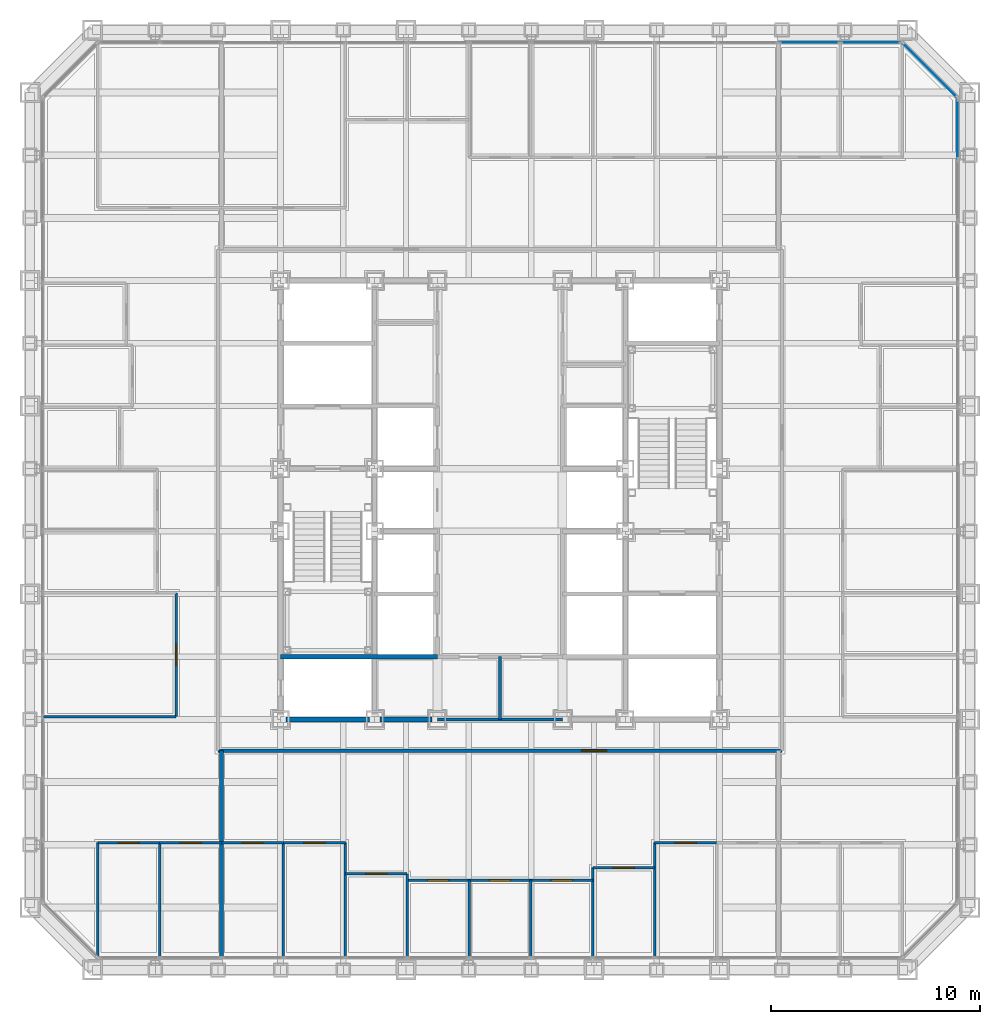
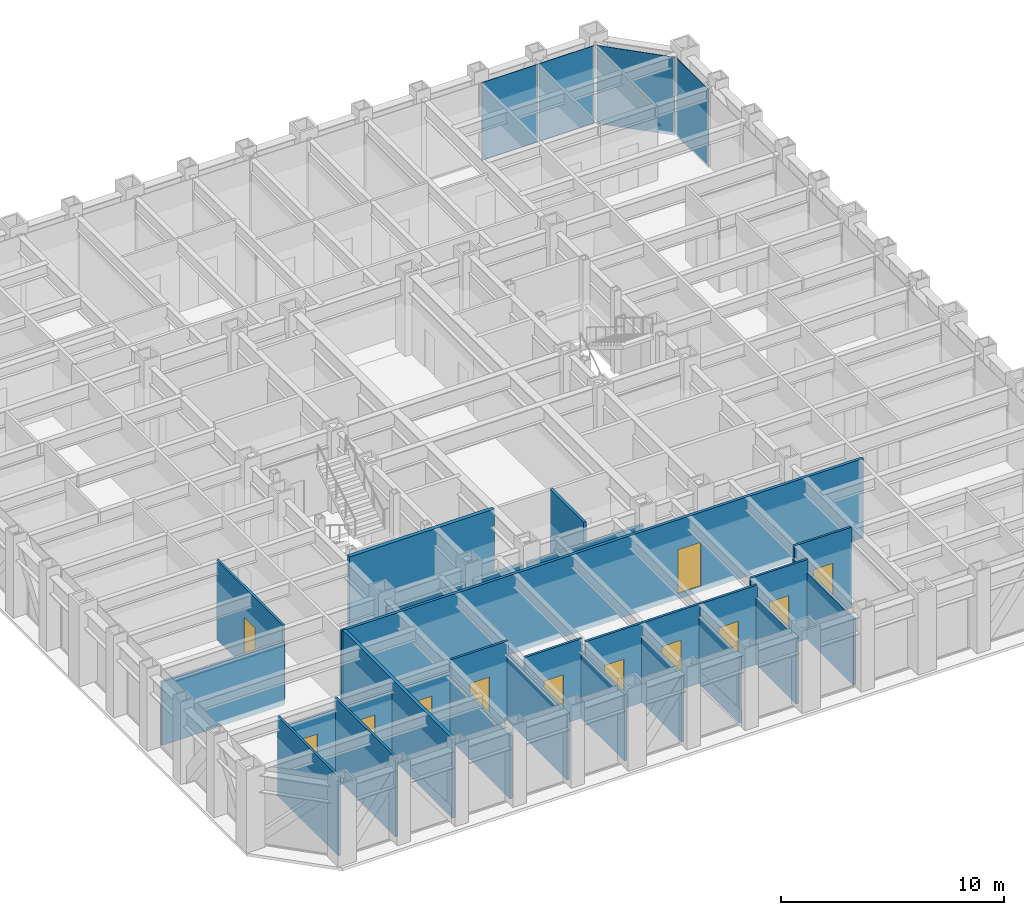
# One storey, part 8 of 16: 28 walls, 12 doors, 4 plates, 12 openings, 3 elements without a shape of their own.
"""IFC4 building model written with IfcOpenShell, lengths in metres."""

import ifcopenshell
import ifcopenshell.guid

model = None  # the IFC model being written
_history = None  # IfcOwnerHistory: only IFC2X3 demands one
_inside = {}  # id of a spatial element -> (the spatial element, [elements in it])
_under = {}  # id of a project, library or spatial element -> (it, [spatial elements below it])
_declared = {}  # id of a project -> (the project, [libraries it declares])
_typed = {}  # id of a type object -> (the type object, [elements of that type])
_made_of = {}  # id of a material, layer set ... -> (it, [elements and type objects made of it])


def new_model(schema):
    """Start an empty IFC model of exactly this schema.

    Asked for "IFC4X3", IfcOpenShell would pick the latest addendum, in which some entities
    have other attributes; the version numbers below select the first issue.
    IFC2X3 requires an IfcOwnerHistory on every rooted entity: one is made here for all.
    """
    global model, _history
    if schema == "IFC4X3":
        model = ifcopenshell.file(schema_version=(4, 3, 0, 0))
    else:
        model = ifcopenshell.file(schema=schema)
    _inside.clear()
    _under.clear()
    _declared.clear()
    _typed.clear()
    _made_of.clear()
    _history = None
    if model.schema == "IFC2X3":
        org = make("IfcOrganization", Name="unknown")
        user = make(
            "IfcPersonAndOrganization",
            ThePerson=make("IfcPerson", FamilyName="unknown"),
            TheOrganization=org,
        )
        app = make(
            "IfcApplication",
            ApplicationDeveloper=org,
            Version="unknown",
            ApplicationFullName="unknown",
            ApplicationIdentifier="unknown",
        )
        _history = make(
            "IfcOwnerHistory",
            OwningUser=user,
            OwningApplication=app,
            ChangeAction="ADDED",
            CreationDate=0,
        )
    return model


def make(cls, **values):
    """One entity of the class cls with the attributes given. An attribute that is None is left unset."""
    return model.create_entity(
        cls, **{name: value for name, value in values.items() if value is not None}
    )


def rooted(cls, **values):
    """An entity with a GlobalId (a new one), such as an element, a storey or a relation."""
    return make(cls, GlobalId=ifcopenshell.guid.new(), OwnerHistory=_history, **values)


def si_unit(unit_type, name, prefix=None):
    """IfcSIUnit, for example si_unit("LENGTHUNIT", "METRE", prefix="MILLI")."""
    return make("IfcSIUnit", UnitType=unit_type, Prefix=prefix, Name=name)


def assignment(units):
    """IfcUnitAssignment: the units of a project."""
    return None if units is None else make("IfcUnitAssignment", Units=units)


def point(xyz):
    """IfcCartesianPoint."""
    return None if xyz is None else make("IfcCartesianPoint", Coordinates=xyz)


def direction(xyz):
    """IfcDirection."""
    return None if xyz is None else make("IfcDirection", DirectionRatios=xyz)


def frame(location, z_axis=None, x_axis=None):
    """IfcAxis2Placement3D, a coordinate frame: its origin and axes. An axis left out is left unset."""
    return make(
        "IfcAxis2Placement3D",
        Location=point(location),
        Axis=direction(z_axis),
        RefDirection=direction(x_axis),
    )


def frame_2d(location, x_axis=None):
    """IfcAxis2Placement2D, a coordinate frame in the plane: its origin and x axis."""
    return make(
        "IfcAxis2Placement2D", Location=point(location), RefDirection=direction(x_axis)
    )


def origin():
    """The frame at (0, 0, 0) with its axes left unset."""
    return frame((0.0, 0.0, 0.0))


def origin_2d():
    """The frame at (0, 0) in the plane with its x axis left unset."""
    return frame_2d((0.0, 0.0))


def place(relative_to, where):
    """IfcLocalPlacement: puts the frame where relative to a parent placement (None: the world)."""
    return make(
        "IfcLocalPlacement", PlacementRelTo=relative_to, RelativePlacement=where
    )


def context(
    kind, dimensions, precision=None, world=None, true_north=None, identifier=None
):
    """IfcGeometricRepresentationContext, for example the 3D "Model" context."""
    return make(
        "IfcGeometricRepresentationContext",
        ContextIdentifier=identifier,
        ContextType=kind,
        CoordinateSpaceDimension=dimensions,
        Precision=precision,
        WorldCoordinateSystem=world,
        TrueNorth=true_north,
    )


def subcontext(parent, identifier, kind, view, scale=None):
    """IfcGeometricRepresentationSubContext, for example "Body" below "Model"."""
    return make(
        "IfcGeometricRepresentationSubContext",
        ContextIdentifier=identifier,
        ContextType=kind,
        ParentContext=parent,
        TargetScale=scale,
        TargetView=view,
    )


def project(units=None, contexts=None):
    """IfcProject with its units and contexts."""
    return rooted(
        "IfcProject",
        Name="project",
        RepresentationContexts=contexts,
        UnitsInContext=assignment(units),
    )


def spatial(cls, under=None, at=None, **own):
    """A site, building, storey or space (cls), placed at a placement, below another one or the project."""
    s = rooted(cls, ObjectPlacement=at, **own)
    if under is not None:
        _under.setdefault(under.id(), (under, []))[1].append(s)
    return s


def profile(cls, at=None, kind="AREA", **sizes):
    """A parametric profile (cls). Its sizes go by their IFC names, for example OverallWidth=200.0."""
    return make(cls, ProfileType=kind, Position=at, **sizes)


def rectangle(**sizes):
    """IfcRectangleProfileDef."""
    return profile("IfcRectangleProfileDef", **sizes)


def extrude(swept, where, along, depth):
    """IfcExtrudedAreaSolid: the profile swept, set in the frame where, extruded along a direction by depth."""
    return make(
        "IfcExtrudedAreaSolid",
        SweptArea=swept,
        Position=where,
        ExtrudedDirection=direction(along),
        Depth=depth,
    )


def shape(context_of_items, identifier, shape_type, items):
    """IfcShapeRepresentation: the items that make up one representation, for example the "Body"."""
    return make(
        "IfcShapeRepresentation",
        ContextOfItems=context_of_items,
        RepresentationIdentifier=identifier,
        RepresentationType=shape_type,
        Items=items,
    )


def material(Name=None, Category=None):
    """IfcMaterial."""
    return make("IfcMaterial", Name=Name, Category=Category)


def layer(
    of_material, thickness, ventilated=None, Name=None, Category=None, Priority=None
):
    """IfcMaterialLayer: one layer of a wall or slab, of a material (None: an air gap)."""
    return make(
        "IfcMaterialLayer",
        Material=of_material,
        LayerThickness=thickness,
        IsVentilated=ventilated,
        Name=Name,
        Category=Category,
        Priority=Priority,
    )


def layer_set(layers, Name=None):
    """IfcMaterialLayerSet."""
    return make("IfcMaterialLayerSet", MaterialLayers=layers, LayerSetName=Name)


def made_of(thing, what):
    """Note that an element or type object is made of a material, layer set ...; save() writes the relation."""
    if what is not None:
        _made_of.setdefault(what.id(), (what, []))[1].append(thing)
    return thing


def type_object(cls, material=None, **own):
    """A type object (cls), such as IfcWallType, which elements share."""
    return made_of(rooted(cls, **own), material)


def element(
    cls,
    number,
    at=None,
    inside=None,
    cuts=None,
    type_object=None,
    material=None,
    context=None,
    identifier="Body",
    shape_type=None,
    held_by="IfcProductDefinitionShape",
    body=None,
    shapes=None,
    **own,
):
    """One element of the class cls, such as IfcWall. Its Tag is "e" and its number.

    at: its placement. inside: the storey or other place that contains it. cuts: it is an
    opening in that element (IfcRelVoidsElement). A single representation is given by context,
    identifier, shape_type and body (its items); several are given by shapes. held_by: the class
    of the entity that holds the representations. save() writes the other relations.
    """
    e = rooted(cls, Tag="e%d" % number, ObjectPlacement=at, **own)
    if body is not None:
        shapes = [shape(context, identifier, shape_type, body)]
    if shapes is not None:
        e.Representation = make(held_by, Representations=shapes)
    if inside is not None:
        _inside.setdefault(inside.id(), (inside, []))[1].append(e)
    if cuts is not None:
        rooted(
            "IfcRelVoidsElement", RelatingBuildingElement=cuts, RelatedOpeningElement=e
        )
    if type_object is not None:
        _typed.setdefault(type_object.id(), (type_object, []))[1].append(e)
    return made_of(e, material)


def fill(opening, filler):
    """IfcRelFillsElement: the door or window that sits in an opening."""
    return rooted(
        "IfcRelFillsElement",
        RelatingOpeningElement=opening,
        RelatedBuildingElement=filler,
    )


def aggregate(whole, parts):
    """IfcRelAggregates: a whole, such as a stair, and the parts it consists of."""
    return rooted("IfcRelAggregates", RelatingObject=whole, RelatedObjects=parts)


def save(model, path):
    """Write the relations noted so far, then the file.

    IfcRelAggregates (storeys below a building ...), IfcRelContainedInSpatialStructure (elements
    in a storey), IfcRelDefinesByType, IfcRelAssociatesMaterial and IfcRelDeclares: one each for
    every whole, place, type object, material and project.
    """
    for whole, parts in _under.values():
        aggregate(whole, parts)
    for where, things in _inside.values():
        rooted(
            "IfcRelContainedInSpatialStructure",
            RelatedElements=things,
            RelatingStructure=where,
        )
    for kind, things in _typed.values():
        rooted("IfcRelDefinesByType", RelatedObjects=things, RelatingType=kind)
    for what, things in _made_of.values():
        rooted("IfcRelAssociatesMaterial", RelatedObjects=things, RelatingMaterial=what)
    for by, libraries in _declared.values():
        rooted("IfcRelDeclares", RelatingContext=by, RelatedDefinitions=libraries)
    model.write(path)


model = new_model("IFC4")

# Units and contexts
model_context = context("Model", 3, precision=1e-05, world=origin(), true_north=direction((0.0, 1.0)))
body_context = subcontext(model_context, "Body", "Model", "MODEL_VIEW")
ifc_project = project(units=[si_unit("LENGTHUNIT", "METRE"), si_unit("AREAUNIT", "SQUARE_METRE"), si_unit("VOLUMEUNIT", "CUBIC_METRE"), si_unit("PLANEANGLEUNIT", "RADIAN"), si_unit("MASSUNIT", "GRAM", prefix="KILO")], contexts=[model_context])

# Site, building, storey
site_placement = place(None, origin())
site = spatial("IfcSite", under=ifc_project, at=site_placement, CompositionType="ELEMENT")
building_placement = place(site_placement, origin())
building = spatial("IfcBuilding", under=site, at=building_placement, Name="Chuquiago Exchange Tower", CompositionType="ELEMENT")
storey_placement = place(building_placement, frame((0.0, 0.0, 82.800048828125)))
storey = spatial("IfcBuildingStorey", under=building, at=storey_placement, Name="L17", CompositionType="ELEMENT", Elevation=82.800048828125)

# Curtain wall, plate
ifc_material_1 = material(Name="Aluminium curtain wall system", Category="aluminium")
ifc_layer_1 = layer(ifc_material_1, 0.25)
ifc_layer_set_1 = layer_set([ifc_layer_1], Name="CW1 trading floor curtain wall")
curtain_wall_type_1 = type_object("IfcCurtainWallType", Name="CW1 trading floor curtain wall", PredefinedType="NOTDEFINED", material=ifc_layer_set_1)
curtain_wall_1_placement = place(storey_placement, origin())
curtain_wall_1 = element("IfcCurtainWall", 1, at=curtain_wall_1_placement, inside=storey, type_object=curtain_wall_type_1, Name="CW1 curtain wall L17", PredefinedType="NOTDEFINED")
ifc_material_2 = material(Name="Insulated spandrel panel, pale anodised aluminium", Category="aluminium")
ifc_layer_2 = layer(ifc_material_2, 0.031982421875)
ifc_layer_set_2 = layer_set([ifc_layer_2], Name="CW1-P spandrel panel 32")
plate_type_1 = type_object("IfcPlateType", Name="CW1-P spandrel panel 32", PredefinedType="CURTAIN_PANEL", material=ifc_layer_set_2)
plate_1_placement = place(storey_placement, frame((44.39990234375, 40.251953125, -0.22509765625), z_axis=(0.0, 0.0, 1.0), x_axis=(0.0, 1.0, 0.0)))
plate_1 = element("IfcPlate", 2, at=plate_1_placement, type_object=plate_type_1, Name="CW1 panel 13.1", PredefinedType="CURTAIN_PANEL", context=body_context, shape_type="SweptSolid", body=[
    extrude(rectangle(XDim=2.849365234375, YDim=0.031982421875, at=origin_2d()), origin(), (0.0, 0.0, 1.0), 4.264892578125),
])
aggregate(curtain_wall_1, [plate_1])

# Curtain wall, plates
curtain_wall_2_placement = place(storey_placement, origin())
curtain_wall_2 = element("IfcCurtainWall", 3, at=curtain_wall_2_placement, inside=storey, type_object=curtain_wall_type_1, Name="CW1 curtain wall L17", PredefinedType="NOTDEFINED")
plate_2_placement = place(storey_placement, frame((40.251953125, 44.39990234375, -0.22509765625), z_axis=(0.0, 0.0, 1.0), x_axis=(-1.0, 0.0, 0.0)))
plate_2 = element("IfcPlate", 4, at=plate_2_placement, type_object=plate_type_1, Name="CW1 panel 1.1", PredefinedType="CURTAIN_PANEL", context=body_context, shape_type="SweptSolid", body=[
    extrude(rectangle(XDim=2.849365234375, YDim=0.031982421875, at=origin_2d()), origin(), (0.0, 0.0, 1.0), 4.264892578125),
])
plate_3_placement = place(storey_placement, frame((37.308837890625, 44.39990234375, -0.22509765625), z_axis=(0.0, 0.0, 1.0), x_axis=(-1.0, 0.0, 0.0)))
plate_3 = element("IfcPlate", 5, at=plate_3_placement, type_object=plate_type_1, Name="CW1 panel 2.1", PredefinedType="CURTAIN_PANEL", context=body_context, shape_type="SweptSolid", body=[
    extrude(rectangle(XDim=2.88671875, YDim=0.031982421875, at=origin_2d()), origin(), (0.0, 0.0, 1.0), 4.264892578125),
])
aggregate(curtain_wall_2, [plate_2, plate_3])

# Curtain wall, plate
ifc_material_3 = material(Name="Aluminium curtain wall system", Category="aluminium")
ifc_layer_3 = layer(ifc_material_3, 0.199951171875)
ifc_layer_set_3 = layer_set([ifc_layer_3], Name="CW3 facet curtain wall")
curtain_wall_type_2 = type_object("IfcCurtainWallType", Name="CW3 facet curtain wall", PredefinedType="NOTDEFINED", material=ifc_layer_set_3)
curtain_wall_3_placement = place(storey_placement, origin())
curtain_wall_3 = element("IfcCurtainWall", 6, at=curtain_wall_3_placement, inside=storey, type_object=curtain_wall_type_2, Name="CW3 curtain wall L17", PredefinedType="NOTDEFINED")
ifc_material_4 = material(Name="Insulated spandrel panel, pale anodised aluminium", Category="aluminium")
ifc_layer_4 = layer(ifc_material_4, 0.030029296875)
ifc_layer_set_4 = layer_set([ifc_layer_4], Name="CW3-P spandrel panel 30")
plate_type_2 = type_object("IfcPlateType", Name="CW3-P spandrel panel 30", PredefinedType="CURTAIN_PANEL", material=ifc_layer_set_4)
plate_4_placement = place(storey_placement, frame((43.07568359375, 43.07568359375, -0.235107421875), z_axis=(0.0, 0.0, 1.0), x_axis=(-0.707106781187, 0.707106781187, 0.0)))
plate_4 = element("IfcPlate", 7, at=plate_4_placement, type_object=plate_type_2, Name="CW3 panel 1.1", PredefinedType="CURTAIN_PANEL", context=body_context, shape_type="SweptSolid", body=[
    extrude(rectangle(XDim=3.615478515625, YDim=0.030029296875, at=origin_2d()), origin(), (0.0, 0.0, 1.0), 4.27490234375),
])
aggregate(curtain_wall_3, [plate_4])

# Walls
ifc_material_5 = material(Name="Concrete masonry, fully grouted", Category="masonry")
ifc_layer_5 = layer(ifc_material_5, 0.25)
ifc_layer_set_5 = layer_set([ifc_layer_5], Name="W1 core wall 250")
wall_type_1 = type_object("IfcWallType", Name="W1 core wall 250", PredefinedType="SOLIDWALL", material=ifc_layer_set_5)
wall_1_placement = place(storey_placement, frame((12.25, 12.0, 0.0), z_axis=(0.0, 0.0, 1.0), x_axis=(1.0, 0.0, 0.0)))
element("IfcWall", 8, at=wall_1_placement, inside=storey, type_object=wall_type_1, Name="CW-L17-01-0", PredefinedType="SOLIDWALL", context=body_context, shape_type="SweptSolid", body=[
    extrude(rectangle(XDim=4.0, YDim=0.25, at=frame_2d((2.0, 0.0))), origin(), (0.0, 0.0, 1.0), 3.181396484375),
])
wall_2_placement = place(storey_placement, frame((16.75, 12.0, 0.0), z_axis=(0.0, 0.0, 1.0), x_axis=(1.0, 0.0, 0.0)))
element("IfcWall", 9, at=wall_2_placement, inside=storey, type_object=wall_type_1, Name="CW-L17-01-1", PredefinedType="SOLIDWALL", context=body_context, shape_type="SweptSolid", body=[
    extrude(rectangle(XDim=2.5, YDim=0.25, at=frame_2d((1.25, 0.0))), origin(), (0.0, 0.0, 1.0), 3.181396484375),
])

# Wall, opening, door
ifc_material_6 = material(Name="Gypsum board on steel studs, acoustic insulation", Category="steel")
ifc_layer_6 = layer(ifc_material_6, 0.14990234375)
ifc_layer_set_6 = layer_set([ifc_layer_6], Name="W11 corridor wall 150")
wall_type_2 = type_object("IfcWallType", Name="W11 corridor wall 150", PredefinedType="PARTITIONING", material=ifc_layer_set_6)
wall_3_placement = place(storey_placement, frame((9.0, 10.5, -0.300048828125), z_axis=(0.0, 0.0, 1.0), x_axis=(1.0, 0.0, 0.0)))
wall_3 = element("IfcWall", 10, at=wall_3_placement, inside=storey, type_object=wall_type_2, Name="PW-L17-CS", PredefinedType="PARTITIONING", context=body_context, shape_type="SweptSolid", body=[
    extrude(rectangle(XDim=27.0, YDim=0.14990234375, at=frame_2d((13.5, 0.0))), origin(), (0.0, 0.0, 1.0), 4.340087890625),
])
opening_1_placement = place(wall_3_placement, frame((17.39990234375, 0.0, 0.300048828125)))
opening_1 = element("IfcOpeningElement", 11, at=opening_1_placement, cuts=wall_3, Name="Opening L17-056", PredefinedType="OPENING", context=body_context, shape_type="SweptSolid", body=[
    extrude(rectangle(XDim=1.199951171875, YDim=2.39990234375, at=frame_2d((0.60009765625, 1.199951171875))), frame((0.0, 0.0849609375, 0.0), z_axis=(0.0, -1.0, 0.0), x_axis=(1.0, 0.0, 0.0)), (0.0, 0.0, 1.0), 0.169921875),
])
ifc_material_7 = material(Name="Timber door, laminate faced", Category="wood")
door_type_1 = type_object("IfcDoorType", Name="D13 suite entrance door 1200x2400", OperationType="SINGLE_SWING_LEFT", PredefinedType="DOOR", material=ifc_material_7)
door_1_placement = place(opening_1_placement, frame((1.199951171875, 0.0, 0.0), z_axis=(0.0, 0.0, 1.0), x_axis=(-1.0, 0.0, 0.0)))
door_1 = element("IfcDoor", 12, at=door_1_placement, inside=storey, type_object=door_type_1, Name="South suite entrance door", OperationType="SINGLE_SWING_LEFT", OverallHeight=2.39990234375, OverallWidth=1.199951171875, PredefinedType="DOOR", context=body_context, shape_type="SweptSolid", body=[
    extrude(rectangle(XDim=1.199951171875, YDim=2.39990234375, at=frame_2d((0.60009765625, 1.199951171875))), frame((0.0, 0.02490234375, 0.0), z_axis=(0.0, -1.0, 0.0), x_axis=(1.0, 0.0, 0.0)), (0.0, 0.0, 1.0), 0.050048828125),
])
fill(opening_1, door_1)

# Walls
ifc_material_8 = material(Name="Gypsum board on twin steel studs, acoustic insulation", Category="steel")
ifc_layer_7 = layer(ifc_material_8, 0.175048828125)
ifc_layer_set_7 = layer_set([ifc_layer_7], Name="W12 tenant demising wall 175")
wall_type_3 = type_object("IfcWallType", Name="W12 tenant demising wall 175", PredefinedType="PARTITIONING", material=ifc_layer_set_7)
wall_4_placement = place(storey_placement, frame((9.172119140625, 0.657470703125, -0.300048828125), z_axis=(0.0, 0.0, 1.0), x_axis=(0.0, 1.0, 0.0)))
element("IfcWall", 13, at=wall_4_placement, inside=storey, type_object=wall_type_3, Name="PW-L17-DS00917", PredefinedType="PARTITIONING", context=body_context, shape_type="SweptSolid", body=[
    extrude(rectangle(XDim=9.842529296875, YDim=0.175048828125, at=frame_2d((4.92138671875, 0.0))), origin(), (0.0, 0.0, 1.0), 4.340087890625),
])
ifc_material_9 = material(Name="Concrete masonry, fully grouted", Category="masonry")
ifc_layer_8 = layer(ifc_material_9, 0.199951171875)
ifc_layer_set_8 = layer_set([ifc_layer_8], Name="W2 shaft wall 200")
wall_type_4 = type_object("IfcWallType", Name="W2 shaft wall 200", PredefinedType="SOLIDWALL", material=ifc_layer_set_8)
wall_5_placement = place(storey_placement, frame((12.0, 15.0, 0.0), z_axis=(0.0, 0.0, 1.0), x_axis=(1.0, 0.0, 0.0)))
element("IfcWall", 14, at=wall_5_placement, inside=storey, type_object=wall_type_4, Name="CW-L17-03-0", PredefinedType="SOLIDWALL", context=body_context, shape_type="SweptSolid", body=[
    extrude(rectangle(XDim=7.5, YDim=0.199951171875, at=frame_2d((3.75, 0.0))), origin(), (0.0, 0.0, 1.0), 4.33984375),
])
ifc_material_10 = material(Name="Gypsum board on steel studs", Category="steel")
ifc_layer_9 = layer(ifc_material_10, 0.14990234375)
ifc_layer_set_9 = layer_set([ifc_layer_9], Name="W3 core partition 150")
wall_type_5 = type_object("IfcWallType", Name="W3 core partition 150", PredefinedType="PARTITIONING", material=ifc_layer_set_9)
wall_6_placement = place(storey_placement, frame((22.5, 15.0, 0.0), z_axis=(0.0, 0.0, 1.0), x_axis=(0.0, -1.0, 0.0)))
element("IfcWall", 15, at=wall_6_placement, inside=storey, type_object=wall_type_5, Name="CW-L17-TM", PredefinedType="PARTITIONING", context=body_context, shape_type="SweptSolid", body=[
    extrude(rectangle(XDim=3.0, YDim=0.14990234375, at=frame_2d((1.5, 0.0))), origin(), (0.0, 0.0, 1.0), 4.33984375),
])
wall_7_placement = place(storey_placement, frame((19.5, 12.0, 0.0), z_axis=(0.0, 0.0, 1.0), x_axis=(1.0, 0.0, 0.0)))
element("IfcWall", 16, at=wall_7_placement, inside=storey, type_object=wall_type_5, Name="CW-L17-TB", PredefinedType="PARTITIONING", context=body_context, shape_type="SweptSolid", body=[
    extrude(rectangle(XDim=6.0, YDim=0.14990234375, at=frame_2d((3.0, 0.0))), origin(), (0.0, 0.0, 1.0), 3.181396484375),
])
ifc_material_11 = material(Name="Gypsum board on steel studs", Category="steel")
ifc_layer_10 = layer(ifc_material_11, 0.1201171875)
ifc_layer_set_10 = layer_set([ifc_layer_10], Name="W4 partition 120")
wall_type_6 = type_object("IfcWallType", Name="W4 partition 120", PredefinedType="PARTITIONING", material=ifc_layer_set_10)
wall_8_placement = place(storey_placement, frame((3.24853515625, 0.666015625, -0.300048828125), z_axis=(0.0, 0.0, 1.0), x_axis=(0.0, 1.0, 0.0)))
element("IfcWall", 17, at=wall_8_placement, inside=storey, type_object=wall_type_6, Name="PW-L17-S00325", PredefinedType="PARTITIONING", context=body_context, shape_type="SweptSolid", body=[
    extrude(rectangle(XDim=5.43408203125, YDim=0.1201171875, at=frame_2d((2.717041015625, 0.0))), origin(), (0.0, 0.0, 1.0), 4.340087890625),
])
wall_9_placement = place(storey_placement, frame((6.210205078125, 0.657470703125, -0.300048828125), z_axis=(0.0, 0.0, 1.0), x_axis=(0.0, 1.0, 0.0)))
element("IfcWall", 18, at=wall_9_placement, inside=storey, type_object=wall_type_6, Name="PW-L17-S00621", PredefinedType="PARTITIONING", context=body_context, shape_type="SweptSolid", body=[
    extrude(rectangle(XDim=5.442626953125, YDim=0.1201171875, at=frame_2d((2.72119140625, 0.0))), origin(), (0.0, 0.0, 1.0), 4.340087890625),
])
wall_10_placement = place(storey_placement, frame((12.1337890625, 0.657470703125, -0.300048828125), z_axis=(0.0, 0.0, 1.0), x_axis=(0.0, 1.0, 0.0)))
element("IfcWall", 19, at=wall_10_placement, inside=storey, type_object=wall_type_6, Name="PW-L17-S01213", PredefinedType="PARTITIONING", context=body_context, shape_type="SweptSolid", body=[
    extrude(rectangle(XDim=5.442626953125, YDim=0.1201171875, at=frame_2d((2.72119140625, 0.0))), origin(), (0.0, 0.0, 1.0), 3.4814453125),
])
wall_11_placement = place(storey_placement, frame((15.095703125, 0.657470703125, -0.300048828125), z_axis=(0.0, 0.0, 1.0), x_axis=(0.0, 1.0, 0.0)))
element("IfcWall", 20, at=wall_11_placement, inside=storey, type_object=wall_type_6, Name="PW-L17-S01510", PredefinedType="PARTITIONING", context=body_context, shape_type="SweptSolid", body=[
    extrude(rectangle(XDim=5.442626953125, YDim=0.1201171875, at=frame_2d((2.72119140625, 0.0))), origin(), (0.0, 0.0, 1.0), 3.646484375),
])
wall_12_placement = place(storey_placement, frame((18.057373046875, 0.657470703125, -0.300048828125), z_axis=(0.0, 0.0, 1.0), x_axis=(0.0, 1.0, 0.0)))
element("IfcWall", 21, at=wall_12_placement, inside=storey, type_object=wall_type_6, Name="PW-L17-S01806", PredefinedType="PARTITIONING", context=body_context, shape_type="SweptSolid", body=[
    extrude(rectangle(XDim=3.942626953125, YDim=0.1201171875, at=frame_2d((1.97119140625, 0.0))), origin(), (0.0, 0.0, 1.0), 3.646484375),
])
for number, where, z_axis, x_axis, name in (
    (22, (21.01904296875, 0.657470703125, -0.300048828125), (0.0, 0.0, 1.0), (0.0, 1.0, 0.0), "PW-L17-S02102"),
    (23, (23.98095703125, 0.657470703125, -0.300048828125), (0.0, 0.0, 1.0), (0.0, 1.0, 0.0), "PW-L17-S02398"),
):
    element("IfcWall", number, at=place(storey_placement, frame(where, z_axis=z_axis, x_axis=x_axis)), inside=storey, type_object=wall_type_6, Name=name, PredefinedType="PARTITIONING", context=body_context, shape_type="SweptSolid", body=[
        extrude(rectangle(XDim=3.642578125, YDim=0.1201171875, at=frame_2d((1.8212890625, 0.0))), origin(), (0.0, 0.0, 1.0), 3.646484375),
    ])
wall_13_placement = place(storey_placement, frame((26.942626953125, 0.657470703125, -0.300048828125), z_axis=(0.0, 0.0, 1.0), x_axis=(0.0, 1.0, 0.0)))
element("IfcWall", 24, at=wall_13_placement, inside=storey, type_object=wall_type_6, Name="PW-L17-S02694", PredefinedType="PARTITIONING", context=body_context, shape_type="SweptSolid", body=[
    extrude(rectangle(XDim=4.242431640625, YDim=0.1201171875, at=frame_2d((2.12109375, 0.0))), origin(), (0.0, 0.0, 1.0), 3.646484375),
])
wall_14_placement = place(storey_placement, frame((29.904296875, 0.657470703125, -0.300048828125), z_axis=(0.0, 0.0, 1.0), x_axis=(0.0, 1.0, 0.0)))
element("IfcWall", 25, at=wall_14_placement, inside=storey, type_object=wall_type_6, Name="PW-L17-S02990", PredefinedType="PARTITIONING", context=body_context, shape_type="SweptSolid", body=[
    extrude(rectangle(XDim=5.442626953125, YDim=0.1201171875, at=frame_2d((2.72119140625, 0.0))), origin(), (0.0, 0.0, 1.0), 3.646484375),
])

# Wall, opening, door
wall_15_placement = place(storey_placement, frame((3.24853515625, 6.10009765625, -0.300048828125), z_axis=(0.0, 0.0, 1.0), x_axis=(1.0, 0.0, 0.0)))
wall_15 = element("IfcWall", 26, at=wall_15_placement, inside=storey, type_object=wall_type_6, Name="PW-L17-SF00325", PredefinedType="PARTITIONING", context=body_context, shape_type="SweptSolid", body=[
    extrude(rectangle(XDim=2.961669921875, YDim=0.1201171875, at=frame_2d((1.48095703125, 0.0))), origin(), (0.0, 0.0, 1.0), 3.722900390625),
])
opening_2_placement = place(wall_15_placement, frame((0.98095703125, 0.0, 0.300048828125)))
opening_2 = element("IfcOpeningElement", 27, at=opening_2_placement, cuts=wall_15, Name="Opening L17-021", PredefinedType="OPENING", context=body_context, shape_type="SweptSolid", body=[
    extrude(rectangle(XDim=1.0, YDim=2.39990234375, at=frame_2d((0.5, 1.199951171875))), frame((0.0, 0.070068359375, 0.0), z_axis=(0.0, -1.0, 0.0), x_axis=(1.0, 0.0, 0.0)), (0.0, 0.0, 1.0), 0.14013671875),
])
ifc_material_12 = material(Name="Timber door, laminate faced", Category="wood")
door_type_2 = type_object("IfcDoorType", Name="D9 room door 1000x2400", OperationType="SINGLE_SWING_LEFT", PredefinedType="DOOR", material=ifc_material_12)
door_2_placement = place(opening_2_placement, frame((1.0, 0.0, 0.0), z_axis=(0.0, 0.0, 1.0), x_axis=(-1.0, 0.0, 0.0)))
door_2 = element("IfcDoor", 28, at=door_2_placement, inside=storey, type_object=door_type_2, Name="Office door", OperationType="SINGLE_SWING_RIGHT", OverallHeight=2.39990234375, OverallWidth=1.0, PredefinedType="DOOR", context=body_context, shape_type="SweptSolid", body=[
    extrude(rectangle(XDim=1.0, YDim=2.39990234375, at=frame_2d((0.5, 1.199951171875))), frame((0.0, 0.02490234375, 0.0), z_axis=(0.0, -1.0, 0.0), x_axis=(1.0, 0.0, 0.0)), (0.0, 0.0, 1.0), 0.050048828125),
])
fill(opening_2, door_2)

wall_16_placement = place(storey_placement, frame((6.210205078125, 6.10009765625, -0.300048828125), z_axis=(0.0, 0.0, 1.0), x_axis=(1.0, 0.0, 0.0)))
wall_16 = element("IfcWall", 29, at=wall_16_placement, inside=storey, type_object=wall_type_6, Name="PW-L17-SF00621", PredefinedType="PARTITIONING", context=body_context, shape_type="SweptSolid", body=[
    extrude(rectangle(XDim=2.9619140625, YDim=0.1201171875, at=frame_2d((1.48095703125, 0.0))), origin(), (0.0, 0.0, 1.0), 3.722900390625),
])
opening_3_placement = place(wall_16_placement, frame((0.98095703125, 0.0, 0.300048828125)))
opening_3 = element("IfcOpeningElement", 30, at=opening_3_placement, cuts=wall_16, Name="Opening L17-022", PredefinedType="OPENING", context=body_context, shape_type="SweptSolid", body=[
    extrude(rectangle(XDim=1.0, YDim=2.39990234375, at=frame_2d((0.5, 1.199951171875))), frame((0.0, 0.070068359375, 0.0), z_axis=(0.0, -1.0, 0.0), x_axis=(1.0, 0.0, 0.0)), (0.0, 0.0, 1.0), 0.14013671875),
])
door_3_placement = place(opening_3_placement, frame((1.0, 0.0, 0.0), z_axis=(0.0, 0.0, 1.0), x_axis=(-1.0, 0.0, 0.0)))
door_3 = element("IfcDoor", 31, at=door_3_placement, inside=storey, type_object=door_type_2, Name="Office door", OperationType="SINGLE_SWING_LEFT", OverallHeight=2.39990234375, OverallWidth=1.0, PredefinedType="DOOR", context=body_context, shape_type="SweptSolid", body=[
    extrude(rectangle(XDim=1.0, YDim=2.39990234375, at=frame_2d((0.5, 1.199951171875))), frame((0.0, 0.02490234375, 0.0), z_axis=(0.0, -1.0, 0.0), x_axis=(1.0, 0.0, 0.0)), (0.0, 0.0, 1.0), 0.050048828125),
])
fill(opening_3, door_3)

wall_17_placement = place(storey_placement, frame((9.172119140625, 6.10009765625, -0.300048828125), z_axis=(0.0, 0.0, 1.0), x_axis=(1.0, 0.0, 0.0)))
wall_17 = element("IfcWall", 32, at=wall_17_placement, inside=storey, type_object=wall_type_6, Name="PW-L17-SF00917", PredefinedType="PARTITIONING", context=body_context, shape_type="SweptSolid", body=[
    extrude(rectangle(XDim=2.961669921875, YDim=0.1201171875, at=frame_2d((1.48095703125, 0.0))), origin(), (0.0, 0.0, 1.0), 3.722900390625),
])
opening_4_placement = place(wall_17_placement, frame((0.98095703125, 0.0, 0.300048828125)))
opening_4 = element("IfcOpeningElement", 33, at=opening_4_placement, cuts=wall_17, Name="Opening L17-023", PredefinedType="OPENING", context=body_context, shape_type="SweptSolid", body=[
    extrude(rectangle(XDim=1.0, YDim=2.39990234375, at=frame_2d((0.5, 1.199951171875))), frame((0.0, 0.070068359375, 0.0), z_axis=(0.0, -1.0, 0.0), x_axis=(1.0, 0.0, 0.0)), (0.0, 0.0, 1.0), 0.14013671875),
])
door_4_placement = place(opening_4_placement, frame((1.0, 0.0, 0.0), z_axis=(0.0, 0.0, 1.0), x_axis=(-1.0, 0.0, 0.0)))
door_4 = element("IfcDoor", 34, at=door_4_placement, inside=storey, type_object=door_type_2, Name="Office door", OperationType="SINGLE_SWING_RIGHT", OverallHeight=2.39990234375, OverallWidth=1.0, PredefinedType="DOOR", context=body_context, shape_type="SweptSolid", body=[
    extrude(rectangle(XDim=1.0, YDim=2.39990234375, at=frame_2d((0.5, 1.199951171875))), frame((0.0, 0.02490234375, 0.0), z_axis=(0.0, -1.0, 0.0), x_axis=(1.0, 0.0, 0.0)), (0.0, 0.0, 1.0), 0.050048828125),
])
fill(opening_4, door_4)

wall_18_placement = place(storey_placement, frame((12.1337890625, 6.10009765625, -0.300048828125), z_axis=(0.0, 0.0, 1.0), x_axis=(1.0, 0.0, 0.0)))
wall_18 = element("IfcWall", 35, at=wall_18_placement, inside=storey, type_object=wall_type_6, Name="PW-L17-SF01213", PredefinedType="PARTITIONING", context=body_context, shape_type="SweptSolid", body=[
    extrude(rectangle(XDim=2.9619140625, YDim=0.1201171875, at=frame_2d((1.48095703125, 0.0))), origin(), (0.0, 0.0, 1.0), 4.340087890625),
])
opening_5_placement = place(wall_18_placement, frame((0.98095703125, 0.0, 0.300048828125)))
opening_5 = element("IfcOpeningElement", 36, at=opening_5_placement, cuts=wall_18, Name="Opening L17-024", PredefinedType="OPENING", context=body_context, shape_type="SweptSolid", body=[
    extrude(rectangle(XDim=1.0, YDim=2.39990234375, at=frame_2d((0.5, 1.199951171875))), frame((0.0, 0.070068359375, 0.0), z_axis=(0.0, -1.0, 0.0), x_axis=(1.0, 0.0, 0.0)), (0.0, 0.0, 1.0), 0.14013671875),
])
door_5_placement = place(opening_5_placement, frame((1.0, 0.0, 0.0), z_axis=(0.0, 0.0, 1.0), x_axis=(-1.0, 0.0, 0.0)))
door_5 = element("IfcDoor", 37, at=door_5_placement, inside=storey, type_object=door_type_2, Name="Office door", OperationType="SINGLE_SWING_LEFT", OverallHeight=2.39990234375, OverallWidth=1.0, PredefinedType="DOOR", context=body_context, shape_type="SweptSolid", body=[
    extrude(rectangle(XDim=1.0, YDim=2.39990234375, at=frame_2d((0.5, 1.199951171875))), frame((0.0, 0.02490234375, 0.0), z_axis=(0.0, -1.0, 0.0), x_axis=(1.0, 0.0, 0.0)), (0.0, 0.0, 1.0), 0.050048828125),
])
fill(opening_5, door_5)

wall_19_placement = place(storey_placement, frame((15.095703125, 4.60009765625, -0.300048828125), z_axis=(0.0, 0.0, 1.0), x_axis=(1.0, 0.0, 0.0)))
wall_19 = element("IfcWall", 38, at=wall_19_placement, inside=storey, type_object=wall_type_6, Name="PW-L17-SF01510", PredefinedType="PARTITIONING", context=body_context, shape_type="SweptSolid", body=[
    extrude(rectangle(XDim=2.961669921875, YDim=0.1201171875, at=frame_2d((1.48095703125, 0.0))), origin(), (0.0, 0.0, 1.0), 4.340087890625),
])
opening_6_placement = place(wall_19_placement, frame((0.98095703125, 0.0, 0.300048828125)))
opening_6 = element("IfcOpeningElement", 39, at=opening_6_placement, cuts=wall_19, Name="Opening L17-025", PredefinedType="OPENING", context=body_context, shape_type="SweptSolid", body=[
    extrude(rectangle(XDim=1.0, YDim=2.39990234375, at=frame_2d((0.5, 1.199951171875))), frame((0.0, 0.070068359375, 0.0), z_axis=(0.0, -1.0, 0.0), x_axis=(1.0, 0.0, 0.0)), (0.0, 0.0, 1.0), 0.14013671875),
])
door_6_placement = place(opening_6_placement, frame((1.0, 0.0, 0.0), z_axis=(0.0, 0.0, 1.0), x_axis=(-1.0, 0.0, 0.0)))
door_6 = element("IfcDoor", 40, at=door_6_placement, inside=storey, type_object=door_type_2, Name="Store door", OperationType="SINGLE_SWING_RIGHT", OverallHeight=2.39990234375, OverallWidth=1.0, PredefinedType="DOOR", context=body_context, shape_type="SweptSolid", body=[
    extrude(rectangle(XDim=1.0, YDim=2.39990234375, at=frame_2d((0.5, 1.199951171875))), frame((0.0, 0.02490234375, 0.0), z_axis=(0.0, -1.0, 0.0), x_axis=(1.0, 0.0, 0.0)), (0.0, 0.0, 1.0), 0.050048828125),
])
fill(opening_6, door_6)

wall_20_placement = place(storey_placement, frame((18.057373046875, 4.300048828125, -0.300048828125), z_axis=(0.0, 0.0, 1.0), x_axis=(1.0, 0.0, 0.0)))
wall_20 = element("IfcWall", 41, at=wall_20_placement, inside=storey, type_object=wall_type_6, Name="PW-L17-SF01806", PredefinedType="PARTITIONING", context=body_context, shape_type="SweptSolid", body=[
    extrude(rectangle(XDim=2.961669921875, YDim=0.1201171875, at=frame_2d((1.48095703125, 0.0))), origin(), (0.0, 0.0, 1.0), 4.340087890625),
])
opening_7_placement = place(wall_20_placement, frame((0.98095703125, 0.0, 0.300048828125)))
opening_7 = element("IfcOpeningElement", 42, at=opening_7_placement, cuts=wall_20, Name="Opening L17-026", PredefinedType="OPENING", context=body_context, shape_type="SweptSolid", body=[
    extrude(rectangle(XDim=1.0, YDim=2.39990234375, at=frame_2d((0.5, 1.199951171875))), frame((0.0, 0.070068359375, 0.0), z_axis=(0.0, -1.0, 0.0), x_axis=(1.0, 0.0, 0.0)), (0.0, 0.0, 1.0), 0.14013671875),
])
ifc_material_13 = material(Name="Timber frame door, full height glazed panel", Category="wood")
door_type_3 = type_object("IfcDoorType", Name="D14 glazed meeting room door 1000x2400", OperationType="SINGLE_SWING_LEFT", PredefinedType="DOOR", material=ifc_material_13)
door_7_placement = place(opening_7_placement, frame((1.0, 0.0, 0.0), z_axis=(0.0, 0.0, 1.0), x_axis=(-1.0, 0.0, 0.0)))
door_7 = element("IfcDoor", 43, at=door_7_placement, inside=storey, type_object=door_type_3, Name="Focus room door", OperationType="SINGLE_SWING_LEFT", OverallHeight=2.39990234375, OverallWidth=1.0, PredefinedType="DOOR", context=body_context, shape_type="SweptSolid", body=[
    extrude(rectangle(XDim=1.0, YDim=2.39990234375, at=frame_2d((0.5, 1.199951171875))), frame((0.0, 0.02490234375, 0.0), z_axis=(0.0, -1.0, 0.0), x_axis=(1.0, 0.0, 0.0)), (0.0, 0.0, 1.0), 0.050048828125),
])
fill(opening_7, door_7)

wall_21_placement = place(storey_placement, frame((21.01904296875, 4.300048828125, -0.300048828125), z_axis=(0.0, 0.0, 1.0), x_axis=(1.0, 0.0, 0.0)))
wall_21 = element("IfcWall", 44, at=wall_21_placement, inside=storey, type_object=wall_type_6, Name="PW-L17-SF02102", PredefinedType="PARTITIONING", context=body_context, shape_type="SweptSolid", body=[
    extrude(rectangle(XDim=2.9619140625, YDim=0.1201171875, at=frame_2d((1.48095703125, 0.0))), origin(), (0.0, 0.0, 1.0), 4.340087890625),
])
opening_8_placement = place(wall_21_placement, frame((0.98095703125, 0.0, 0.300048828125)))
opening_8 = element("IfcOpeningElement", 45, at=opening_8_placement, cuts=wall_21, Name="Opening L17-027", PredefinedType="OPENING", context=body_context, shape_type="SweptSolid", body=[
    extrude(rectangle(XDim=1.0, YDim=2.39990234375, at=frame_2d((0.5, 1.199951171875))), frame((0.0, 0.070068359375, 0.0), z_axis=(0.0, -1.0, 0.0), x_axis=(1.0, 0.0, 0.0)), (0.0, 0.0, 1.0), 0.14013671875),
])
door_8_placement = place(opening_8_placement, frame((1.0, 0.0, 0.0), z_axis=(0.0, 0.0, 1.0), x_axis=(-1.0, 0.0, 0.0)))
door_8 = element("IfcDoor", 46, at=door_8_placement, inside=storey, type_object=door_type_3, Name="Focus room door", OperationType="SINGLE_SWING_LEFT", OverallHeight=2.39990234375, OverallWidth=1.0, PredefinedType="DOOR", context=body_context, shape_type="SweptSolid", body=[
    extrude(rectangle(XDim=1.0, YDim=2.39990234375, at=frame_2d((0.5, 1.199951171875))), frame((0.0, 0.02490234375, 0.0), z_axis=(0.0, -1.0, 0.0), x_axis=(1.0, 0.0, 0.0)), (0.0, 0.0, 1.0), 0.050048828125),
])
fill(opening_8, door_8)

wall_22_placement = place(storey_placement, frame((23.98095703125, 4.300048828125, -0.300048828125), z_axis=(0.0, 0.0, 1.0), x_axis=(1.0, 0.0, 0.0)))
wall_22 = element("IfcWall", 47, at=wall_22_placement, inside=storey, type_object=wall_type_6, Name="PW-L17-SF02398", PredefinedType="PARTITIONING", context=body_context, shape_type="SweptSolid", body=[
    extrude(rectangle(XDim=2.961669921875, YDim=0.1201171875, at=frame_2d((1.48095703125, 0.0))), origin(), (0.0, 0.0, 1.0), 4.340087890625),
])
opening_9_placement = place(wall_22_placement, frame((0.98095703125, 0.0, 0.300048828125)))
opening_9 = element("IfcOpeningElement", 48, at=opening_9_placement, cuts=wall_22, Name="Opening L17-028", PredefinedType="OPENING", context=body_context, shape_type="SweptSolid", body=[
    extrude(rectangle(XDim=1.0, YDim=2.39990234375, at=frame_2d((0.5, 1.199951171875))), frame((0.0, 0.070068359375, 0.0), z_axis=(0.0, -1.0, 0.0), x_axis=(1.0, 0.0, 0.0)), (0.0, 0.0, 1.0), 0.14013671875),
])
door_9_placement = place(opening_9_placement, frame((1.0, 0.0, 0.0), z_axis=(0.0, 0.0, 1.0), x_axis=(-1.0, 0.0, 0.0)))
door_9 = element("IfcDoor", 49, at=door_9_placement, inside=storey, type_object=door_type_3, Name="Focus room door", OperationType="SINGLE_SWING_LEFT", OverallHeight=2.39990234375, OverallWidth=1.0, PredefinedType="DOOR", context=body_context, shape_type="SweptSolid", body=[
    extrude(rectangle(XDim=1.0, YDim=2.39990234375, at=frame_2d((0.5, 1.199951171875))), frame((0.0, 0.02490234375, 0.0), z_axis=(0.0, -1.0, 0.0), x_axis=(1.0, 0.0, 0.0)), (0.0, 0.0, 1.0), 0.050048828125),
])
fill(opening_9, door_9)

wall_23_placement = place(storey_placement, frame((26.942626953125, 4.89990234375, -0.300048828125), z_axis=(0.0, 0.0, 1.0), x_axis=(1.0, 0.0, 0.0)))
wall_23 = element("IfcWall", 50, at=wall_23_placement, inside=storey, type_object=wall_type_6, Name="PW-L17-SF02694", PredefinedType="PARTITIONING", context=body_context, shape_type="SweptSolid", body=[
    extrude(rectangle(XDim=2.961669921875, YDim=0.1201171875, at=frame_2d((1.48095703125, 0.0))), origin(), (0.0, 0.0, 1.0), 4.340087890625),
])
opening_10_placement = place(wall_23_placement, frame((0.98095703125, 0.0, 0.300048828125)))
opening_10 = element("IfcOpeningElement", 51, at=opening_10_placement, cuts=wall_23, Name="Opening L17-029", PredefinedType="OPENING", context=body_context, shape_type="SweptSolid", body=[
    extrude(rectangle(XDim=1.0, YDim=2.39990234375, at=frame_2d((0.5, 1.199951171875))), frame((0.0, 0.070068359375, 0.0), z_axis=(0.0, -1.0, 0.0), x_axis=(1.0, 0.0, 0.0)), (0.0, 0.0, 1.0), 0.14013671875),
])
door_10_placement = place(opening_10_placement, frame((1.0, 0.0, 0.0), z_axis=(0.0, 0.0, 1.0), x_axis=(-1.0, 0.0, 0.0)))
door_10 = element("IfcDoor", 52, at=door_10_placement, inside=storey, type_object=door_type_2, Name="Pantry door", OperationType="SINGLE_SWING_RIGHT", OverallHeight=2.39990234375, OverallWidth=1.0, PredefinedType="DOOR", context=body_context, shape_type="SweptSolid", body=[
    extrude(rectangle(XDim=1.0, YDim=2.39990234375, at=frame_2d((0.5, 1.199951171875))), frame((0.0, 0.02490234375, 0.0), z_axis=(0.0, -1.0, 0.0), x_axis=(1.0, 0.0, 0.0)), (0.0, 0.0, 1.0), 0.050048828125),
])
fill(opening_10, door_10)

wall_24_placement = place(storey_placement, frame((29.904296875, 6.10009765625, -0.300048828125), z_axis=(0.0, 0.0, 1.0), x_axis=(1.0, 0.0, 0.0)))
wall_24 = element("IfcWall", 53, at=wall_24_placement, inside=storey, type_object=wall_type_6, Name="PW-L17-SF02990", PredefinedType="PARTITIONING", context=body_context, shape_type="SweptSolid", body=[
    extrude(rectangle(XDim=2.9619140625, YDim=0.1201171875, at=frame_2d((1.48095703125, 0.0))), origin(), (0.0, 0.0, 1.0), 4.340087890625),
])
opening_11_placement = place(wall_24_placement, frame((0.98095703125, 0.0, 0.300048828125)))
opening_11 = element("IfcOpeningElement", 54, at=opening_11_placement, cuts=wall_24, Name="Opening L17-030", PredefinedType="OPENING", context=body_context, shape_type="SweptSolid", body=[
    extrude(rectangle(XDim=1.0, YDim=2.39990234375, at=frame_2d((0.5, 1.199951171875))), frame((0.0, 0.070068359375, 0.0), z_axis=(0.0, -1.0, 0.0), x_axis=(1.0, 0.0, 0.0)), (0.0, 0.0, 1.0), 0.14013671875),
])
door_11_placement = place(opening_11_placement, frame((1.0, 0.0, 0.0), z_axis=(0.0, 0.0, 1.0), x_axis=(-1.0, 0.0, 0.0)))
door_11 = element("IfcDoor", 55, at=door_11_placement, inside=storey, type_object=door_type_3, Name="Meeting room door", OperationType="SINGLE_SWING_RIGHT", OverallHeight=2.39990234375, OverallWidth=1.0, PredefinedType="DOOR", context=body_context, shape_type="SweptSolid", body=[
    extrude(rectangle(XDim=1.0, YDim=2.39990234375, at=frame_2d((0.5, 1.199951171875))), frame((0.0, 0.02490234375, 0.0), z_axis=(0.0, -1.0, 0.0), x_axis=(1.0, 0.0, 0.0)), (0.0, 0.0, 1.0), 0.050048828125),
])
fill(opening_11, door_11)

# Wall
wall_25_placement = place(storey_placement, frame((0.657470703125, 12.1337890625, -0.300048828125), z_axis=(0.0, 0.0, 1.0), x_axis=(1.0, 0.0, 0.0)))
element("IfcWall", 56, at=wall_25_placement, inside=storey, type_object=wall_type_6, Name="PW-L17-W01213", PredefinedType="PARTITIONING", context=body_context, shape_type="SweptSolid", body=[
    extrude(rectangle(XDim=6.342529296875, YDim=0.1201171875, at=frame_2d((3.17138671875, 0.0))), origin(), (0.0, 0.0, 1.0), 3.4814453125),
])

# Wall, opening, door
wall_26_placement = place(storey_placement, frame((7.0, 12.1337890625, -0.300048828125), z_axis=(0.0, 0.0, 1.0), x_axis=(0.0, 1.0, 0.0)))
wall_26 = element("IfcWall", 57, at=wall_26_placement, inside=storey, type_object=wall_type_6, Name="PW-L17-WF01213", PredefinedType="PARTITIONING", context=body_context, shape_type="SweptSolid", body=[
    extrude(rectangle(XDim=5.923583984375, YDim=0.1201171875, at=frame_2d((2.9619140625, 0.0))), origin(), (0.0, 0.0, 1.0), 4.340087890625),
])
opening_12_placement = place(wall_26_placement, frame((2.4619140625, 0.0, 0.300048828125)))
opening_12 = element("IfcOpeningElement", 58, at=opening_12_placement, cuts=wall_26, Name="Opening L17-050", PredefinedType="OPENING", context=body_context, shape_type="SweptSolid", body=[
    extrude(rectangle(XDim=1.0, YDim=2.39990234375, at=frame_2d((0.5, 1.199951171875))), frame((0.0, 0.070068359375, 0.0), z_axis=(0.0, -1.0, 0.0), x_axis=(1.0, 0.0, 0.0)), (0.0, 0.0, 1.0), 0.14013671875),
])
door_12_placement = place(opening_12_placement, origin())
door_12 = element("IfcDoor", 59, at=door_12_placement, inside=storey, type_object=door_type_3, Name="Conference room door", OperationType="SINGLE_SWING_LEFT", OverallHeight=2.39990234375, OverallWidth=1.0, PredefinedType="DOOR", context=body_context, shape_type="SweptSolid", body=[
    extrude(rectangle(XDim=1.0, YDim=2.39990234375, at=frame_2d((0.5, 1.199951171875))), frame((0.0, 0.02490234375, 0.0), z_axis=(0.0, -1.0, 0.0), x_axis=(1.0, 0.0, 0.0)), (0.0, 0.0, 1.0), 0.050048828125),
])
fill(opening_12, door_12)

save(model, "model.ifc")
